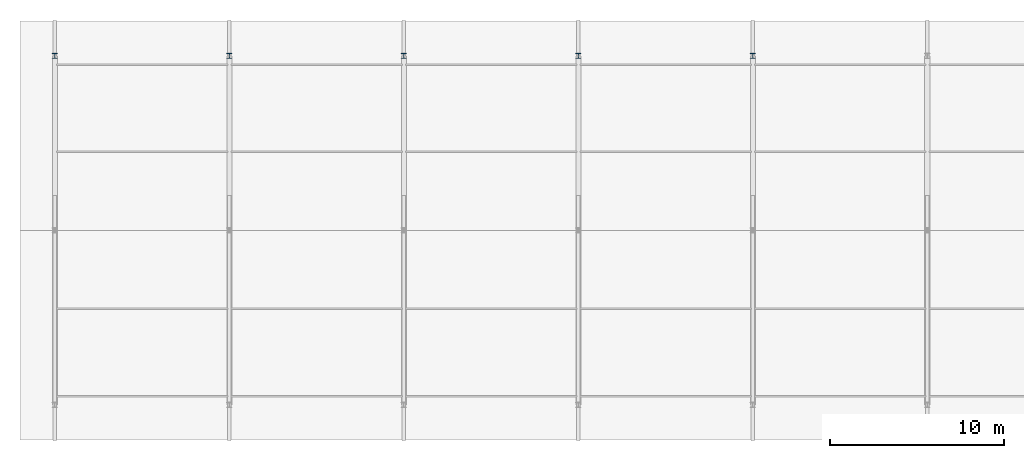
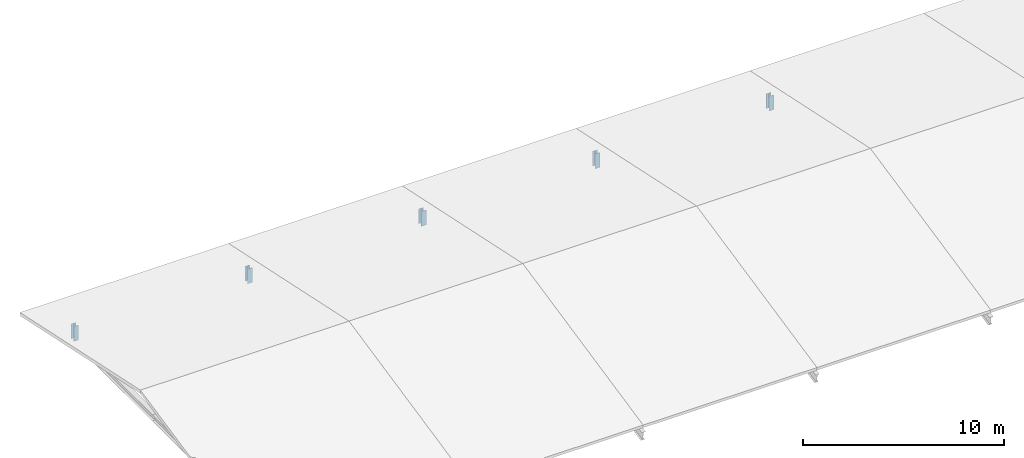
# One storey, part 7 of 10: 5 members.
"""IFC4 building model written with IfcOpenShell, lengths in metres."""

from ifc_helpers import new_model, si_unit, direction, frame, origin, origin_2d, place, context, subcontext, project, spatial, i_section, extrude, material, material_profile, profile_set, type_object, element, save


model = new_model("IFC4")

# Units and contexts
model_context = context("Model", 3, precision=1e-05, world=origin(), true_north=direction((0.0, 1.0)))
body_context = subcontext(model_context, "Body", "Model", "MODEL_VIEW")
ifc_project = project(units=[si_unit("LENGTHUNIT", "METRE"), si_unit("AREAUNIT", "SQUARE_METRE"), si_unit("VOLUMEUNIT", "CUBIC_METRE"), si_unit("PLANEANGLEUNIT", "RADIAN"), si_unit("MASSUNIT", "GRAM", prefix="KILO")], contexts=[model_context])

# Site, building, storey
site_placement = place(None, origin())
site = spatial("IfcSite", under=ifc_project, at=site_placement, CompositionType="ELEMENT")
building_placement = place(site_placement, origin())
building = spatial("IfcBuilding", under=site, at=building_placement, Name="Kivolera Central Railway Station", CompositionType="ELEMENT")
storey_placement = place(building_placement, frame((0.0, 0.0, 31.199951171875)))
storey = spatial("IfcBuildingStorey", under=building, at=storey_placement, Name="Roof", CompositionType="ELEMENT", Elevation=31.199951171875)

# Members
ifc_material = material(Name="Steel S355", Category="steel")
ifc_material_profile = material_profile(ifc_material, i_section(OverallWidth=0.280029296875, OverallDepth=0.280029296875, WebThickness=0.010498046875, FlangeThickness=0.01806640625, FilletRadius=0.02392578125, at=origin_2d()), Name="HEB 280")
ifc_profile_set = profile_set([ifc_material_profile], Name="Steel S355")
member_type = type_object("IfcMemberType", Name="MEM-RAF-HEB280", PredefinedType="STRUT", material=ifc_profile_set)
for number, where, z_axis, x_axis, name in (
    (1, (118.0, 134.0, -0.02001953125), (0.0, 0.0, 1.0), (1.0, 0.0, 0.0), "Roof Monsoon Truss Post 1-M"),
    (2, (128.0, 134.0, -0.02001953125), (0.0, 0.0, 1.0), (1.0, 0.0, 0.0), "Roof Monsoon Truss Post 2-M"),
    (3, (138.0, 134.0, -0.02001953125), (0.0, 0.0, 1.0), (1.0, 0.0, 0.0), "Roof Monsoon Truss Post 3-M"),
    (4, (148.0, 134.0, -0.02001953125), (0.0, 0.0, 1.0), (1.0, 0.0, 0.0), "Roof Monsoon Truss Post 4-M"),
    (5, (158.0, 134.0, -0.02001953125), (0.0, 0.0, 1.0), (1.0, 0.0, 0.0), "Roof Monsoon Truss Post 5-M"),
):
    element("IfcMember", number, at=place(storey_placement, frame(where, z_axis=z_axis, x_axis=x_axis)), inside=storey, type_object=member_type, Name=name, PredefinedType="STRUT", context=body_context, shape_type="SweptSolid", body=[
        extrude(i_section(OverallWidth=0.280029296875, OverallDepth=0.280029296875, WebThickness=0.010498046875, FlangeThickness=0.01806640625, FilletRadius=0.02392578125, at=origin_2d()), origin(), (0.0, 0.0, 1.0), 0.900146484375),
    ])

save(model, "model.ifc")
